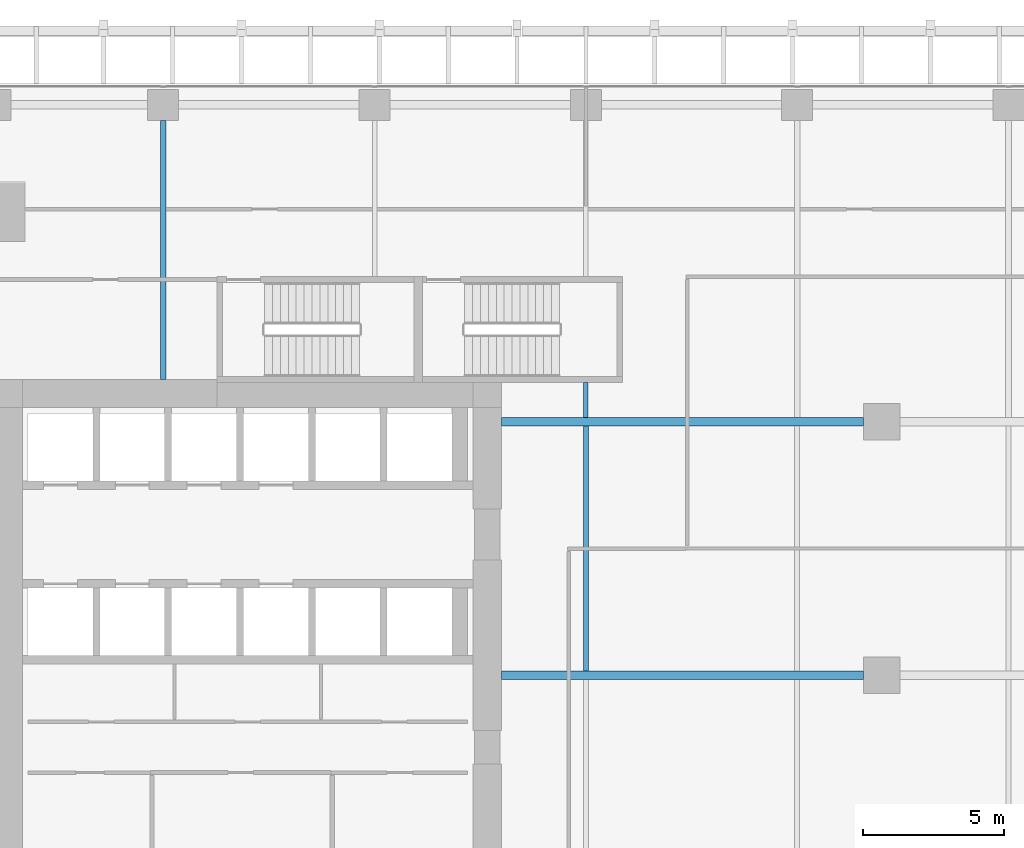
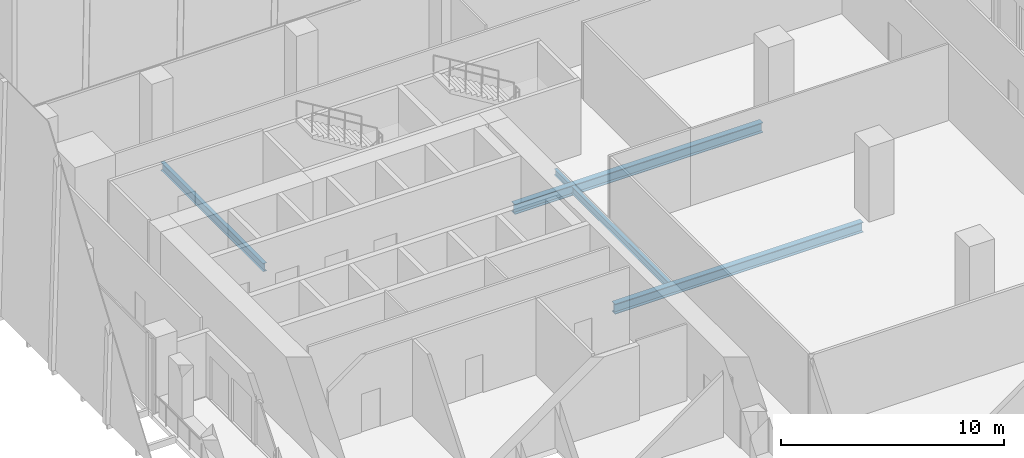
# One storey, part 13 of 35: 5 beams.
"""IFC4 building model written with IfcOpenShell, lengths in metres."""

from ifc_helpers import new_model, si_unit, direction, frame, origin, origin_2d, place, context, subcontext, project, spatial, i_section, extrude, source, transform, mapped, material, material_profile, profile_set, type_object, element, save


model = new_model("IFC4")

# Units and contexts
model_context = context("Model", 3, precision=1e-05, world=origin(), true_north=direction((0.0, 1.0)))
body_context = subcontext(model_context, "Body", "Model", "MODEL_VIEW")
ifc_project = project(units=[si_unit("LENGTHUNIT", "METRE"), si_unit("AREAUNIT", "SQUARE_METRE"), si_unit("VOLUMEUNIT", "CUBIC_METRE"), si_unit("PLANEANGLEUNIT", "RADIAN"), si_unit("MASSUNIT", "GRAM", prefix="KILO")], contexts=[model_context])

# Site, building, storey
site_placement = place(None, origin())
site = spatial("IfcSite", under=ifc_project, at=site_placement, CompositionType="ELEMENT")
building_placement = place(site_placement, origin())
building = spatial("IfcBuilding", under=site, at=building_placement, Name="Khomas Fold Tower", CompositionType="ELEMENT")
storey_placement = place(building_placement, frame((0.0, 0.0, 127.89990234375)))
storey = spatial("IfcBuildingStorey", under=building, at=storey_placement, Name="L27", CompositionType="ELEMENT", Elevation=127.89990234375)

# Beams
ifc_material_1 = material(Name="Steel S355", Category="steel")
ifc_material_profile_1 = material_profile(ifc_material_1, i_section(OverallWidth=0.179931640625, OverallDepth=0.39990234375, WebThickness=0.008544921875, FlangeThickness=0.013427734375, at=origin_2d()), Name="IPE 400")
ifc_profile_set_1 = profile_set([ifc_material_profile_1], Name="Steel S355")
beam_type_1 = type_object("IfcBeamType", Name="IPE 400 beam JB3", PredefinedType="BEAM", material=ifc_profile_set_1)
shared_shape_1 = source(origin(), body_context, "Body", "SweptSolid", [
    extrude(i_section(OverallWidth=0.179931640625, OverallDepth=0.39990234375, WebThickness=0.008544921875, FlangeThickness=0.013427734375, at=origin_2d()), origin(), (0.0, 0.0, 1.0), 8.7001953125),
])
beam_1_placement = place(storey_placement, frame((27.0, 31.64990234375, -0.5), z_axis=(0.0, 1.0, 0.0), x_axis=(-1.0, 0.0, 0.0)))
element("IfcBeam", 1, at=beam_1_placement, inside=storey, type_object=beam_type_1, Name="JB3", PredefinedType="BEAM", context=body_context, shape_type="MappedRepresentation", body=[
    mapped(shared_shape_1, transform((0.0, 0.0, 0.0))),
])
ifc_material_2 = material(Name="Steel S355", Category="steel")
ifc_material_profile_2 = material_profile(ifc_material_2, i_section(OverallWidth=0.159912109375, OverallDepth=0.330078125, WebThickness=0.007568359375, FlangeThickness=0.011474609375, at=origin_2d()), Name="IPE 330")
ifc_profile_set_2 = profile_set([ifc_material_profile_2], Name="Steel S355")
beam_type_2 = type_object("IfcBeamType", Name="IPE 330 beam JB1", PredefinedType="BEAM", material=ifc_profile_set_2)
shared_shape_2 = source(origin(), body_context, "Body", "SweptSolid", [
    extrude(i_section(OverallWidth=0.159912109375, OverallDepth=0.330078125, WebThickness=0.007568359375, FlangeThickness=0.011474609375, at=origin_2d()), origin(), (0.0, 0.0, 1.0), 1.25),
])
beam_2_placement = place(storey_placement, frame((27.0, 40.64990234375, -0.46484375), z_axis=(0.0, 1.0, 0.0), x_axis=(-1.0, 0.0, 0.0)))
element("IfcBeam", 2, at=beam_2_placement, inside=storey, type_object=beam_type_2, Name="JB1", PredefinedType="BEAM", context=body_context, shape_type="MappedRepresentation", body=[
    mapped(shared_shape_2, transform((0.0, 0.0, 0.0))),
])
ifc_material_3 = material(Name="Steel S355", Category="steel")
ifc_material_profile_3 = material_profile(ifc_material_3, i_section(OverallWidth=0.300048828125, OverallDepth=0.550048828125, WebThickness=0.014892578125, FlangeThickness=0.029052734375, at=origin_2d()), Name="HE 550 B")
ifc_profile_set_3 = profile_set([ifc_material_profile_3], Name="Steel S355")
beam_type_3 = type_object("IfcBeamType", Name="HE 550 B beam GB4", PredefinedType="BEAM", material=ifc_profile_set_3)
shared_shape_3 = source(origin(), body_context, "Body", "SweptSolid", [
    extrude(i_section(OverallWidth=0.300048828125, OverallDepth=0.550048828125, WebThickness=0.014892578125, FlangeThickness=0.029052734375, at=origin_2d()), origin(), (0.0, 0.0, 1.0), 12.85009765625),
])
for number, where, z_axis, x_axis, name in (
    (3, (24.0, 31.5, -0.574951171875), (1.0, 0.0, 0.0), (0.0, 1.0, 0.0), "GB4"),
    (4, (24.0, 40.5, -0.574951171875), (1.0, 0.0, 0.0), (0.0, 1.0, 0.0), "GB4"),
):
    element("IfcBeam", number, at=place(storey_placement, frame(where, z_axis=z_axis, x_axis=x_axis)), inside=storey, type_object=beam_type_3, Name=name, PredefinedType="BEAM", context=body_context, shape_type="MappedRepresentation", body=[
        mapped(shared_shape_3, transform((0.0, 0.0, 0.0))),
    ])
ifc_material_4 = material(Name="Steel S355", Category="steel")
ifc_material_profile_4 = material_profile(ifc_material_4, i_section(OverallWidth=0.18994140625, OverallDepth=0.449951171875, WebThickness=0.009521484375, FlangeThickness=0.0146484375, at=origin_2d()), Name="IPE 450")
ifc_profile_set_4 = profile_set([ifc_material_profile_4], Name="Steel S355")
beam_type_4 = type_object("IfcBeamType", Name="IPE 450 beam JB4", PredefinedType="BEAM", material=ifc_profile_set_4)
shared_shape_4 = source(origin(), body_context, "Body", "SweptSolid", [
    extrude(i_section(OverallWidth=0.18994140625, OverallDepth=0.449951171875, WebThickness=0.009521484375, FlangeThickness=0.0146484375, at=origin_2d()), origin(), (0.0, 0.0, 1.0), 9.199951171875),
])
beam_3_placement = place(storey_placement, frame((12.0, 42.0, -0.52490234375), z_axis=(0.0, 1.0, 0.0), x_axis=(-1.0, 0.0, 0.0)))
element("IfcBeam", 5, at=beam_3_placement, inside=storey, type_object=beam_type_4, Name="JB4", PredefinedType="BEAM", context=body_context, shape_type="MappedRepresentation", body=[
    mapped(shared_shape_4, transform((0.0, 0.0, 0.0))),
])

save(model, "model.ifc")
